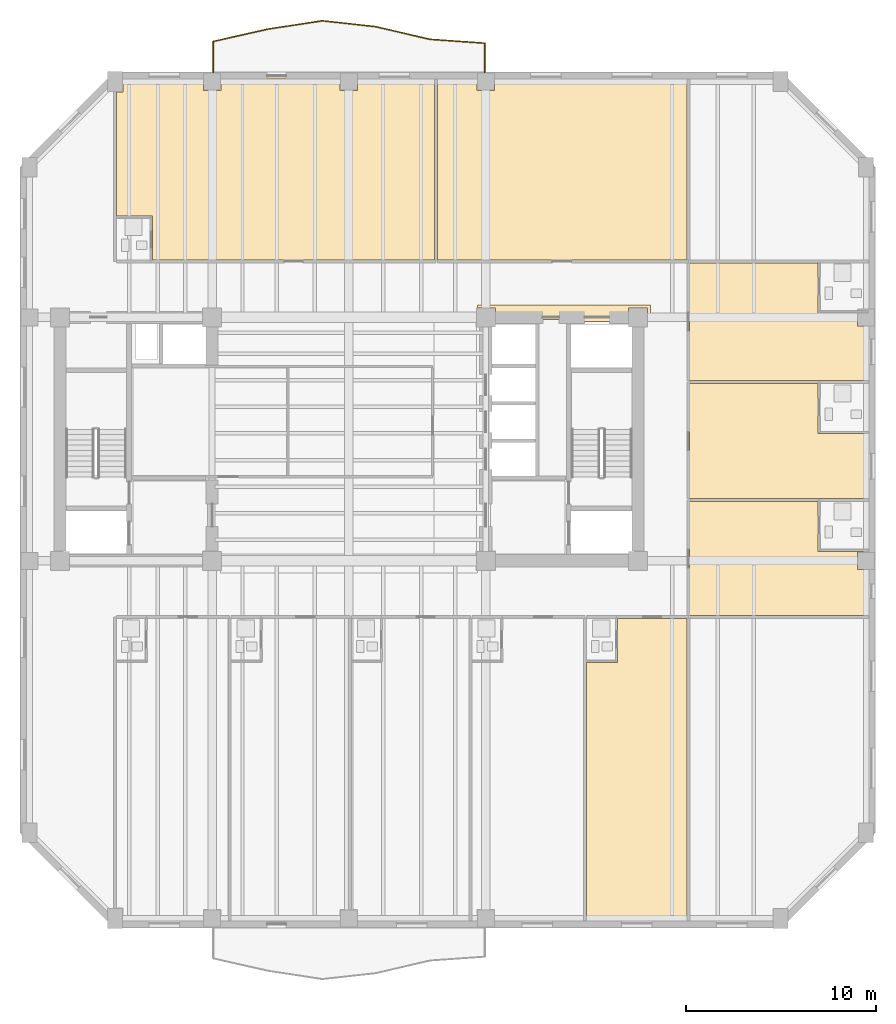
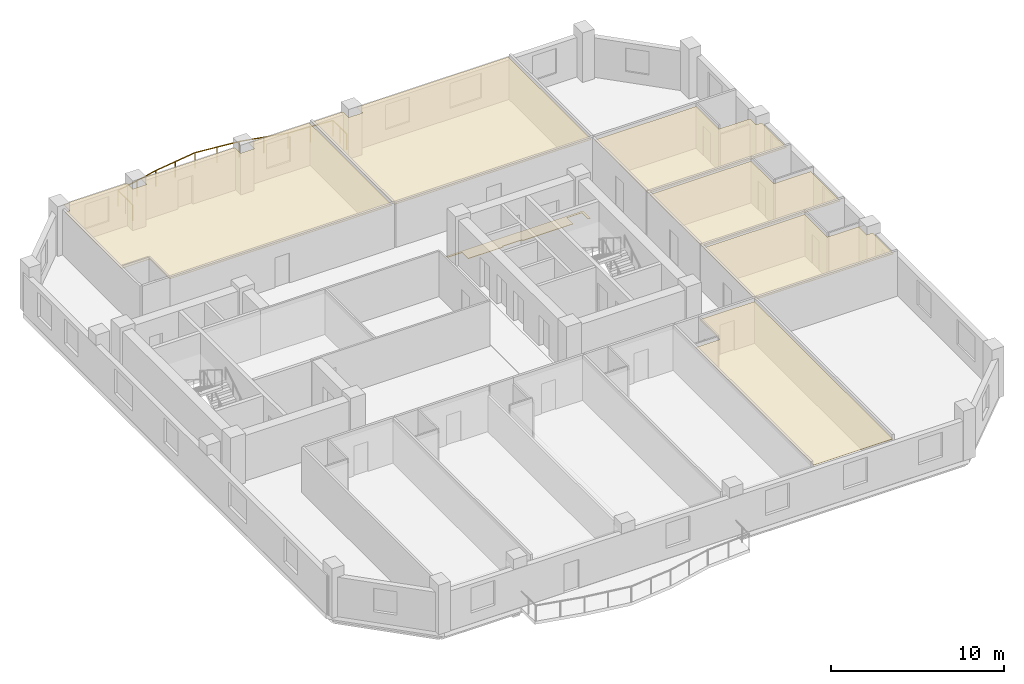
# One storey, part 9 of 10: 7 coverings, 1 railing.
"""IFC4 building model written with IfcOpenShell, lengths in metres."""

import ifcopenshell
import ifcopenshell.guid

model = None  # the IFC model being written
_history = None  # IfcOwnerHistory: only IFC2X3 demands one
_inside = {}  # id of a spatial element -> (the spatial element, [elements in it])
_under = {}  # id of a project, library or spatial element -> (it, [spatial elements below it])
_declared = {}  # id of a project -> (the project, [libraries it declares])
_typed = {}  # id of a type object -> (the type object, [elements of that type])
_made_of = {}  # id of a material, layer set ... -> (it, [elements and type objects made of it])


def new_model(schema):
    """Start an empty IFC model of exactly this schema.

    Asked for "IFC4X3", IfcOpenShell would pick the latest addendum, in which some entities
    have other attributes; the version numbers below select the first issue.
    IFC2X3 requires an IfcOwnerHistory on every rooted entity: one is made here for all.
    """
    global model, _history
    if schema == "IFC4X3":
        model = ifcopenshell.file(schema_version=(4, 3, 0, 0))
    else:
        model = ifcopenshell.file(schema=schema)
    _inside.clear()
    _under.clear()
    _declared.clear()
    _typed.clear()
    _made_of.clear()
    _history = None
    if model.schema == "IFC2X3":
        org = make("IfcOrganization", Name="unknown")
        user = make(
            "IfcPersonAndOrganization",
            ThePerson=make("IfcPerson", FamilyName="unknown"),
            TheOrganization=org,
        )
        app = make(
            "IfcApplication",
            ApplicationDeveloper=org,
            Version="unknown",
            ApplicationFullName="unknown",
            ApplicationIdentifier="unknown",
        )
        _history = make(
            "IfcOwnerHistory",
            OwningUser=user,
            OwningApplication=app,
            ChangeAction="ADDED",
            CreationDate=0,
        )
    return model


def make(cls, **values):
    """One entity of the class cls with the attributes given. An attribute that is None is left unset."""
    return model.create_entity(
        cls, **{name: value for name, value in values.items() if value is not None}
    )


def rooted(cls, **values):
    """An entity with a GlobalId (a new one), such as an element, a storey or a relation."""
    return make(cls, GlobalId=ifcopenshell.guid.new(), OwnerHistory=_history, **values)


def si_unit(unit_type, name, prefix=None):
    """IfcSIUnit, for example si_unit("LENGTHUNIT", "METRE", prefix="MILLI")."""
    return make("IfcSIUnit", UnitType=unit_type, Prefix=prefix, Name=name)


def assignment(units):
    """IfcUnitAssignment: the units of a project."""
    return None if units is None else make("IfcUnitAssignment", Units=units)


def point(xyz):
    """IfcCartesianPoint."""
    return None if xyz is None else make("IfcCartesianPoint", Coordinates=xyz)


def direction(xyz):
    """IfcDirection."""
    return None if xyz is None else make("IfcDirection", DirectionRatios=xyz)


def frame(location, z_axis=None, x_axis=None):
    """IfcAxis2Placement3D, a coordinate frame: its origin and axes. An axis left out is left unset."""
    return make(
        "IfcAxis2Placement3D",
        Location=point(location),
        Axis=direction(z_axis),
        RefDirection=direction(x_axis),
    )


def frame_2d(location, x_axis=None):
    """IfcAxis2Placement2D, a coordinate frame in the plane: its origin and x axis."""
    return make(
        "IfcAxis2Placement2D", Location=point(location), RefDirection=direction(x_axis)
    )


def origin():
    """The frame at (0, 0, 0) with its axes left unset."""
    return frame((0.0, 0.0, 0.0))


def origin_2d():
    """The frame at (0, 0) in the plane with its x axis left unset."""
    return frame_2d((0.0, 0.0))


def place(relative_to, where):
    """IfcLocalPlacement: puts the frame where relative to a parent placement (None: the world)."""
    return make(
        "IfcLocalPlacement", PlacementRelTo=relative_to, RelativePlacement=where
    )


def context(
    kind, dimensions, precision=None, world=None, true_north=None, identifier=None
):
    """IfcGeometricRepresentationContext, for example the 3D "Model" context."""
    return make(
        "IfcGeometricRepresentationContext",
        ContextIdentifier=identifier,
        ContextType=kind,
        CoordinateSpaceDimension=dimensions,
        Precision=precision,
        WorldCoordinateSystem=world,
        TrueNorth=true_north,
    )


def subcontext(parent, identifier, kind, view, scale=None):
    """IfcGeometricRepresentationSubContext, for example "Body" below "Model"."""
    return make(
        "IfcGeometricRepresentationSubContext",
        ContextIdentifier=identifier,
        ContextType=kind,
        ParentContext=parent,
        TargetScale=scale,
        TargetView=view,
    )


def project(units=None, contexts=None):
    """IfcProject with its units and contexts."""
    return rooted(
        "IfcProject",
        Name="project",
        RepresentationContexts=contexts,
        UnitsInContext=assignment(units),
    )


def spatial(cls, under=None, at=None, **own):
    """A site, building, storey or space (cls), placed at a placement, below another one or the project."""
    s = rooted(cls, ObjectPlacement=at, **own)
    if under is not None:
        _under.setdefault(under.id(), (under, []))[1].append(s)
    return s


def polyline(points):
    """IfcPolyline through the points."""
    return make("IfcPolyline", Points=[point(p) for p in points])


def profile(cls, at=None, kind="AREA", **sizes):
    """A parametric profile (cls). Its sizes go by their IFC names, for example OverallWidth=200.0."""
    return make(cls, ProfileType=kind, Position=at, **sizes)


def circle(**sizes):
    """IfcCircleProfileDef."""
    return profile("IfcCircleProfileDef", **sizes)


def outline(outer, holes=None, kind="AREA"):
    """IfcArbitraryClosedProfileDef: a profile drawn as a closed curve; with holes, ...WithVoids."""
    if holes is None:
        return make("IfcArbitraryClosedProfileDef", ProfileType=kind, OuterCurve=outer)
    return make(
        "IfcArbitraryProfileDefWithVoids",
        ProfileType=kind,
        OuterCurve=outer,
        InnerCurves=holes,
    )


def extrude(swept, where, along, depth):
    """IfcExtrudedAreaSolid: the profile swept, set in the frame where, extruded along a direction by depth."""
    return make(
        "IfcExtrudedAreaSolid",
        SweptArea=swept,
        Position=where,
        ExtrudedDirection=direction(along),
        Depth=depth,
    )


def shape(context_of_items, identifier, shape_type, items):
    """IfcShapeRepresentation: the items that make up one representation, for example the "Body"."""
    return make(
        "IfcShapeRepresentation",
        ContextOfItems=context_of_items,
        RepresentationIdentifier=identifier,
        RepresentationType=shape_type,
        Items=items,
    )


def material(Name=None, Category=None):
    """IfcMaterial."""
    return make("IfcMaterial", Name=Name, Category=Category)


def layer(
    of_material, thickness, ventilated=None, Name=None, Category=None, Priority=None
):
    """IfcMaterialLayer: one layer of a wall or slab, of a material (None: an air gap)."""
    return make(
        "IfcMaterialLayer",
        Material=of_material,
        LayerThickness=thickness,
        IsVentilated=ventilated,
        Name=Name,
        Category=Category,
        Priority=Priority,
    )


def layer_set(layers, Name=None):
    """IfcMaterialLayerSet."""
    return make("IfcMaterialLayerSet", MaterialLayers=layers, LayerSetName=Name)


def made_of(thing, what):
    """Note that an element or type object is made of a material, layer set ...; save() writes the relation."""
    if what is not None:
        _made_of.setdefault(what.id(), (what, []))[1].append(thing)
    return thing


def type_object(cls, material=None, **own):
    """A type object (cls), such as IfcWallType, which elements share."""
    return made_of(rooted(cls, **own), material)


def element(
    cls,
    number,
    at=None,
    inside=None,
    cuts=None,
    type_object=None,
    material=None,
    context=None,
    identifier="Body",
    shape_type=None,
    held_by="IfcProductDefinitionShape",
    body=None,
    shapes=None,
    **own,
):
    """One element of the class cls, such as IfcWall. Its Tag is "e" and its number.

    at: its placement. inside: the storey or other place that contains it. cuts: it is an
    opening in that element (IfcRelVoidsElement). A single representation is given by context,
    identifier, shape_type and body (its items); several are given by shapes. held_by: the class
    of the entity that holds the representations. save() writes the other relations.
    """
    e = rooted(cls, Tag="e%d" % number, ObjectPlacement=at, **own)
    if body is not None:
        shapes = [shape(context, identifier, shape_type, body)]
    if shapes is not None:
        e.Representation = make(held_by, Representations=shapes)
    if inside is not None:
        _inside.setdefault(inside.id(), (inside, []))[1].append(e)
    if cuts is not None:
        rooted(
            "IfcRelVoidsElement", RelatingBuildingElement=cuts, RelatedOpeningElement=e
        )
    if type_object is not None:
        _typed.setdefault(type_object.id(), (type_object, []))[1].append(e)
    return made_of(e, material)


def aggregate(whole, parts):
    """IfcRelAggregates: a whole, such as a stair, and the parts it consists of."""
    return rooted("IfcRelAggregates", RelatingObject=whole, RelatedObjects=parts)


def save(model, path):
    """Write the relations noted so far, then the file.

    IfcRelAggregates (storeys below a building ...), IfcRelContainedInSpatialStructure (elements
    in a storey), IfcRelDefinesByType, IfcRelAssociatesMaterial and IfcRelDeclares: one each for
    every whole, place, type object, material and project.
    """
    for whole, parts in _under.values():
        aggregate(whole, parts)
    for where, things in _inside.values():
        rooted(
            "IfcRelContainedInSpatialStructure",
            RelatedElements=things,
            RelatingStructure=where,
        )
    for kind, things in _typed.values():
        rooted("IfcRelDefinesByType", RelatedObjects=things, RelatingType=kind)
    for what, things in _made_of.values():
        rooted("IfcRelAssociatesMaterial", RelatedObjects=things, RelatingMaterial=what)
    for by, libraries in _declared.values():
        rooted("IfcRelDeclares", RelatingContext=by, RelatedDefinitions=libraries)
    model.write(path)


model = new_model("IFC4")

# Units and contexts
model_context = context("Model", 3, precision=1e-05, world=origin(), true_north=direction((0.0, 1.0)))
body_context = subcontext(model_context, "Body", "Model", "MODEL_VIEW")
ifc_project = project(units=[si_unit("LENGTHUNIT", "METRE"), si_unit("AREAUNIT", "SQUARE_METRE"), si_unit("VOLUMEUNIT", "CUBIC_METRE"), si_unit("PLANEANGLEUNIT", "RADIAN"), si_unit("MASSUNIT", "GRAM", prefix="KILO")], contexts=[model_context])

# Site, building, storey
site_placement = place(None, origin())
site = spatial("IfcSite", under=ifc_project, at=site_placement, CompositionType="ELEMENT")
building_placement = place(site_placement, origin())
building = spatial("IfcBuilding", under=site, at=building_placement, Name="Kranthara Brick Stack", CompositionType="ELEMENT")
storey_placement = place(building_placement, frame((0.0, 0.0, 151.800048828125)))
storey = spatial("IfcBuildingStorey", under=building, at=storey_placement, Name="L38", CompositionType="ELEMENT", Elevation=151.800048828125)

# Coverings
ifc_material_1 = material(Name="Perforated mineral-fibre acoustic ceiling tile", Category="other")
ifc_layer_1 = layer(ifc_material_1, 0.02490234375)
ifc_layer_set_1 = layer_set([ifc_layer_1], Name="Perforated mineral-fibre acoustic ceiling tile")
covering_type_1 = type_object("IfcCoveringType", Name="COV-CEIL-ACOUSTIC", PredefinedType="CEILING", material=ifc_layer_set_1)
covering_1_placement = place(storey_placement, frame((0.0, 0.0, 2.929931640625)))
element("IfcCovering", 1, at=covering_1_placement, inside=storey, type_object=covering_type_1, Name="L38 Room L38-05 Corner Junior Suite Acoustic Ceiling", PredefinedType="CEILING", context=body_context, shape_type="SweptSolid", body=[
    extrude(outline(polyline([(40.5029296875, 1.800048828125), (45.77001953125, 1.800048828125), (45.77001953125, 17.77001953125), (42.133056640625, 17.77001953125), (42.133056640625, 15.4599609375), (40.5029296875, 15.4599609375), (40.5029296875, 1.800048828125)])), origin(), (0.0, 0.0, 1.0), 0.02490234375),
])
covering_2_placement = place(storey_placement, frame((0.0, 0.0, 2.929931640625)))
element("IfcCovering", 2, at=covering_2_placement, inside=storey, type_object=covering_type_1, Name="L38 Room L38-06 Corner Junior Suite Acoustic Ceiling", PredefinedType="CEILING", context=body_context, shape_type="SweptSolid", body=[
    extrude(outline(polyline([(17.659912109375, 36.6298828125), (17.659912109375, 38.93994140625), (15.780029296875, 38.93994140625), (15.780029296875, 45.465087890625), (16.110107421875, 45.465087890625), (16.110107421875, 46.199951171875), (20.340087890625, 46.199951171875), (20.340087890625, 45.5400390625), (21.260009765625, 45.5400390625), (21.260009765625, 46.199951171875), (27.5400390625, 46.199951171875), (27.5400390625, 45.5400390625), (28.4599609375, 45.5400390625), (28.4599609375, 46.199951171875), (32.50390625, 46.199951171875), (32.50390625, 36.6298828125), (17.659912109375, 36.6298828125)])), origin(), (0.0, 0.0, 1.0), 0.02490234375),
])
covering_3_placement = place(storey_placement, frame((0.0, 0.0, 2.929931640625)))
element("IfcCovering", 3, at=covering_3_placement, inside=storey, type_object=covering_type_1, Name="L38 L38 Guest Sky Lounge 7 Acoustic Ceiling", PredefinedType="CEILING", context=body_context, shape_type="SweptSolid", body=[
    extrude(outline(polyline([(45.77001953125, 46.199951171875), (45.77001953125, 36.6298828125), (32.6640625, 36.6298828125), (32.6640625, 46.199951171875), (34.739990234375, 46.199951171875), (34.739990234375, 45.5400390625), (35.659912109375, 45.5400390625), (35.659912109375, 46.199951171875), (45.77001953125, 46.199951171875)])), origin(), (0.0, 0.0, 1.0), 0.02490234375),
])
covering_4_placement = place(storey_placement, frame((0.0, 0.0, 2.929931640625)))
element("IfcCovering", 4, at=covering_4_placement, inside=storey, type_object=covering_type_1, Name="L38 Room L38-08 Hotel Guest Room Acoustic Ceiling", PredefinedType="CEILING", context=body_context, shape_type="SweptSolid", body=[
    extrude(outline(polyline([(55.1298828125, 17.929931640625), (45.919921875, 17.929931640625), (45.919921875, 23.919921875), (52.669921875, 23.919921875), (52.669921875, 21.2900390625), (55.1298828125, 21.2900390625), (55.1298828125, 21.260009765625), (54.739990234375, 21.260009765625), (54.739990234375, 20.340087890625), (55.1298828125, 20.340087890625), (55.1298828125, 17.929931640625)])), origin(), (0.0, 0.0, 1.0), 0.02490234375),
])
covering_5_placement = place(storey_placement, frame((0.0, 0.0, 2.929931640625)))
element("IfcCovering", 5, at=covering_5_placement, inside=storey, type_object=covering_type_1, Name="L38 Room L38-09 Hotel Guest Room Acoustic Ceiling", PredefinedType="CEILING", context=body_context, shape_type="SweptSolid", body=[
    extrude(outline(polyline([(45.919921875, 24.080078125), (55.1298828125, 24.080078125), (55.1298828125, 27.489990234375), (52.669921875, 27.489990234375), (52.669921875, 30.1201171875), (45.919921875, 30.1201171875), (45.919921875, 24.080078125)])), origin(), (0.0, 0.0, 1.0), 0.02490234375),
])
covering_6_placement = place(storey_placement, frame((0.0, 0.0, 2.929931640625)))
element("IfcCovering", 6, at=covering_6_placement, inside=storey, type_object=covering_type_1, Name="L38 Room L38-10 Hotel Guest Room Acoustic Ceiling", PredefinedType="CEILING", context=body_context, shape_type="SweptSolid", body=[
    extrude(outline(polyline([(55.1298828125, 30.280029296875), (45.919921875, 30.280029296875), (45.919921875, 36.469970703125), (52.669921875, 36.469970703125), (52.669921875, 33.840087890625), (54.739990234375, 33.840087890625), (54.739990234375, 33.139892578125), (55.1298828125, 33.139892578125), (55.1298828125, 30.280029296875)])), origin(), (0.0, 0.0, 1.0), 0.02490234375),
])
ifc_material_2 = material(Name="Honed terrazzo and porcelain floor finish", Category="stone")
ifc_layer_2 = layer(ifc_material_2, 0.030029296875)
ifc_layer_set_2 = layer_set([ifc_layer_2], Name="Honed terrazzo and porcelain floor finish")
covering_type_2 = type_object("IfcCoveringType", Name="COV-FLOR-STONE", PredefinedType="FLOORING", material=ifc_layer_set_2)
covering_7_placement = place(storey_placement, origin())
element("IfcCovering", 7, at=covering_7_placement, inside=storey, type_object=covering_type_2, Name="L38 Lift Lobby Stone Flooring", PredefinedType="FLOORING", context=body_context, shape_type="SweptSolid", body=[
    extrude(outline(polyline([(43.7099609375, 33.39990234375), (43.7099609375, 34.110107421875), (42.68994140625, 34.110107421875), (42.68994140625, 33.39990234375), (39.35009765625, 33.39990234375), (39.35009765625, 33.47998046875), (38.050048828125, 33.47998046875), (38.050048828125, 33.39990234375), (35.7099609375, 33.39990234375), (35.7099609375, 34.110107421875), (34.75, 34.110107421875), (34.75, 34.25), (43.85009765625, 34.25), (43.85009765625, 33.39990234375), (43.7099609375, 33.39990234375)])), origin(), (0.0, 0.0, 1.0), 0.030029296875),
])

# Railing
ifc_material_3 = material(Name="Bronze anodised aluminium and laminated glass balustrade", Category="aluminium")
railing_type = type_object("IfcRailingType", Name="RL-BALC-1120", PredefinedType="BALUSTRADE", material=ifc_material_3)
railing_placement = place(storey_placement, frame((20.860107421875, 46.43994140625, 0.0)))
element("IfcRailing", 8, at=railing_placement, inside=storey, type_object=railing_type, Name="L38 North Rippling Balcony Balustrade", PredefinedType="BALUSTRADE", context=body_context, shape_type="SweptSolid", body=[
    extrude(circle(Radius=0.02392578125, at=origin_2d()), frame((0.0, 0.0, 1.09619140625), z_axis=(0.0, 1.0, 0.0), x_axis=(-1.0, 0.0, 0.0)), (0.0, 0.0, 1.0), 1.6787109375),
    extrude(circle(Radius=0.02392578125, at=origin_2d()), frame((0.0, 1.6787109375, 1.09619140625), z_axis=(0.97547137921, 0.220126300888, 0.0), x_axis=(-0.220126300888, 0.97547137921, 0.0)), (0.0, 0.0, 1.0), 2.951416015625),
    extrude(circle(Radius=0.02392578125, at=origin_2d()), frame((2.87890625, 2.328369140625, 1.09619140625), z_axis=(0.988545236826, 0.15092486458, 0.0), x_axis=(-0.15092486458, 0.988545236826, 0.0)), (0.0, 0.0, 1.0), 2.900390625),
    extrude(circle(Radius=0.02392578125, at=origin_2d()), frame((5.74609375, 2.76611328125, 1.09619140625), z_axis=(0.994002270541, -0.109359435625, 0.0), x_axis=(0.109359435625, 0.994002270541, 0.0)), (0.0, 0.0, 1.0), 2.799560546875),
    extrude(circle(Radius=0.02392578125, at=origin_2d()), frame((8.52880859375, 2.4599609375, 1.09619140625), z_axis=(0.973877847603, -0.227072538956, 0.0), x_axis=(0.227072538956, 0.973877847603, 0.0)), (0.0, 0.0, 1.0), 2.947998046875),
    extrude(circle(Radius=0.02392578125, at=origin_2d()), frame((11.39990234375, 1.79052734375, 1.09619140625), z_axis=(0.997527765398, -0.070273446342, 0.0), x_axis=(0.070273446342, 0.997527765398, 0.0)), (0.0, 0.0, 1.0), 2.886962890625),
    extrude(circle(Radius=0.02392578125, at=origin_2d()), frame((14.27978515625, 1.587646484375, 1.09619140625), z_axis=(0.0, -1.0, 0.0), x_axis=(1.0, 0.0, 0.0)), (0.0, 0.0, 1.0), 1.587646484375),
    extrude(circle(Radius=0.02099609375, at=origin_2d()), origin(), (0.0, 0.0, 1.0), 1.072021484375),
    extrude(circle(Radius=0.02099609375, at=origin_2d()), frame((0.0, 0.83935546875, 0.0)), (0.0, 0.0, 1.0), 1.072021484375),
    extrude(circle(Radius=0.02099609375, at=origin_2d()), frame((0.0, 1.6787109375, 0.0)), (0.0, 0.0, 1.0), 1.072021484375),
    extrude(circle(Radius=0.02099609375, at=origin_2d()), frame((1.439453125, 2.00341796875, 0.0)), (0.0, 0.0, 1.0), 1.072021484375),
    extrude(circle(Radius=0.02099609375, at=origin_2d()), frame((2.87890625, 2.328369140625, 0.0)), (0.0, 0.0, 1.0), 1.072021484375),
    extrude(circle(Radius=0.02099609375, at=origin_2d()), frame((4.3125, 2.54736328125, 0.0)), (0.0, 0.0, 1.0), 1.072021484375),
    extrude(circle(Radius=0.02099609375, at=origin_2d()), frame((5.74609375, 2.76611328125, 0.0)), (0.0, 0.0, 1.0), 1.072021484375),
    extrude(circle(Radius=0.02099609375, at=origin_2d()), frame((7.137451171875, 2.613037109375, 0.0)), (0.0, 0.0, 1.0), 1.072021484375),
    extrude(circle(Radius=0.02099609375, at=origin_2d()), frame((8.52880859375, 2.4599609375, 0.0)), (0.0, 0.0, 1.0), 1.072021484375),
    extrude(circle(Radius=0.02099609375, at=origin_2d()), frame((9.96435546875, 2.125244140625, 0.0)), (0.0, 0.0, 1.0), 1.072021484375),
    extrude(circle(Radius=0.02099609375, at=origin_2d()), frame((11.39990234375, 1.79052734375, 0.0)), (0.0, 0.0, 1.0), 1.072021484375),
    extrude(circle(Radius=0.02099609375, at=origin_2d()), frame((12.83984375, 1.68896484375, 0.0)), (0.0, 0.0, 1.0), 1.072021484375),
    extrude(circle(Radius=0.02099609375, at=origin_2d()), frame((14.27978515625, 1.587646484375, 0.0)), (0.0, 0.0, 1.0), 1.072021484375),
    extrude(circle(Radius=0.02099609375, at=origin_2d()), frame((14.27978515625, 0.7939453125, 0.0)), (0.0, 0.0, 1.0), 1.072021484375),
    extrude(circle(Radius=0.02099609375, at=origin_2d()), frame((14.27978515625, 0.0, 0.0)), (0.0, 0.0, 1.0), 1.072021484375),
])

save(model, "model.ifc")
